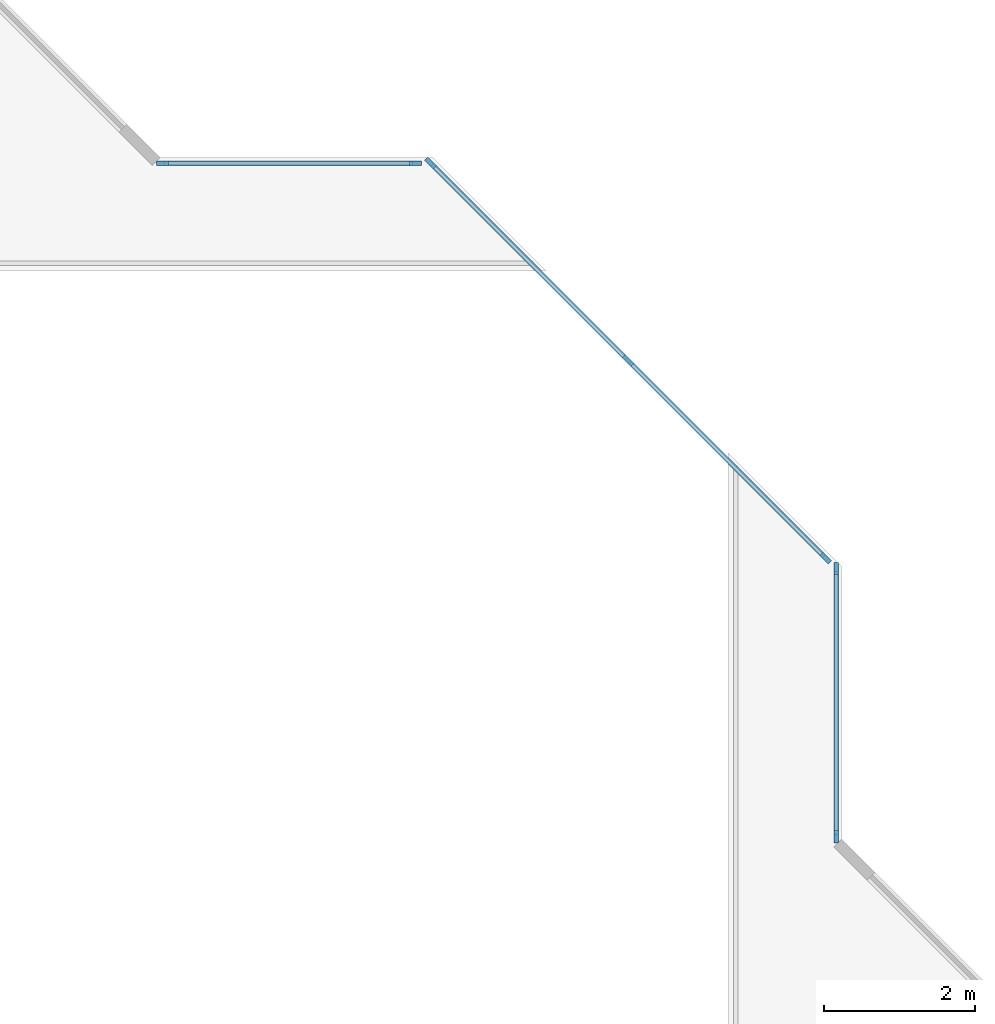
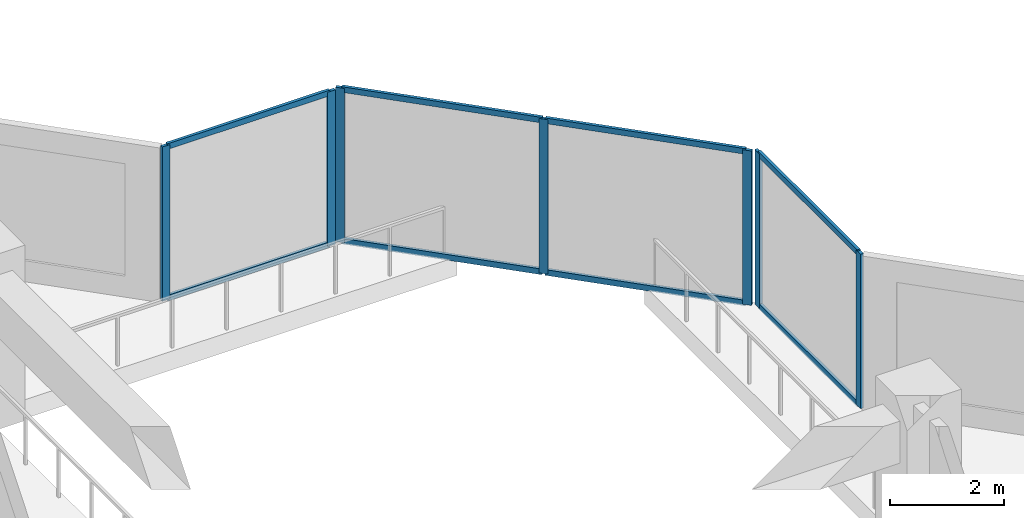
# One storey, part 2 of 16: 15 members, 3 elements without a shape of their own.
"""IFC4 building model written with IfcOpenShell, lengths in metres."""

from ifc_helpers import new_model, si_unit, direction, frame, origin, origin_2d, place, context, subcontext, project, spatial, rectangle, extrude, material, layer, layer_set, material_profile, profile_set, type_object, element, aggregate, save


model = new_model("IFC4")

# Units and contexts
model_context = context("Model", 3, precision=1e-05, world=origin(), true_north=direction((0.0, 1.0)))
body_context = subcontext(model_context, "Body", "Model", "MODEL_VIEW")
ifc_project = project(units=[si_unit("LENGTHUNIT", "METRE"), si_unit("AREAUNIT", "SQUARE_METRE"), si_unit("VOLUMEUNIT", "CUBIC_METRE"), si_unit("PLANEANGLEUNIT", "RADIAN"), si_unit("MASSUNIT", "GRAM", prefix="KILO")], contexts=[model_context])

# Site, building, storey
site_placement = place(None, origin())
site = spatial("IfcSite", under=ifc_project, at=site_placement, CompositionType="ELEMENT")
building_placement = place(site_placement, origin())
building = spatial("IfcBuilding", under=site, at=building_placement, Name="Chenar Terraces", CompositionType="ELEMENT")
storey_placement = place(building_placement, frame((0.0, 0.0, 82.64990234375)))
storey = spatial("IfcBuildingStorey", under=building, at=storey_placement, Name="L18", CompositionType="ELEMENT", Elevation=82.64990234375)

# Curtain wall, members
ifc_material_1 = material(Name="Aluminium framed glazing", Category="aluminium")
ifc_layer = layer(ifc_material_1, 0.14990234375)
ifc_layer_set = layer_set([ifc_layer], Name="Aluminium framed glazing")
curtain_wall_type = type_object("IfcCurtainWallType", Name="Atrium curtain wall", PredefinedType="NOTDEFINED", material=ifc_layer_set)
placement = place(storey_placement, origin())
curtain_wall_1 = element("IfcCurtainWall", 1, at=placement, inside=storey, type_object=curtain_wall_type, Name="Atrium curtain wall", PredefinedType="NOTDEFINED")
ifc_material_2 = material(Name="Aluminium", Category="aluminium")
ifc_material_profile_1 = material_profile(ifc_material_2, rectangle(XDim=0.06005859375, YDim=0.159912109375, at=origin_2d()), Name="Atrium glazing mullion 60 x 160")
ifc_profile_set_1 = profile_set([ifc_material_profile_1], Name="Aluminium")
member_type_1 = type_object("IfcMemberType", Name="Atrium glazing mullion 60 x 160", PredefinedType="MULLION", material=ifc_profile_set_1)
member_1_placement = place(storey_placement, frame((37.425048828125, 28.530029296875, 0.0), z_axis=(0.0, 0.0, 1.0), x_axis=(-1.0, 0.0, 0.0)))
member_1 = element("IfcMember", 2, at=member_1_placement, type_object=member_type_1, Name="CW1-1 mullion 1", PredefinedType="MULLION", context=body_context, shape_type="SweptSolid", body=[
    extrude(rectangle(XDim=0.06005859375, YDim=0.159912109375, at=origin_2d()), origin(), (0.0, 0.0, 1.0), 3.300048828125),
])
member_2_placement = place(storey_placement, frame((37.425048828125, 32.070068359375, 0.0), z_axis=(0.0, 0.0, 1.0), x_axis=(-1.0, 0.0, 0.0)))
member_2 = element("IfcMember", 3, at=member_2_placement, type_object=member_type_1, Name="CW1-1 mullion 2", PredefinedType="MULLION", context=body_context, shape_type="SweptSolid", body=[
    extrude(rectangle(XDim=0.06005859375, YDim=0.159912109375, at=origin_2d()), origin(), (0.0, 0.0, 1.0), 3.300048828125),
])

curtain_wall_2 = element("IfcCurtainWall", 4, at=placement, inside=storey, type_object=curtain_wall_type, Name="Atrium curtain wall", PredefinedType="NOTDEFINED")
member_3_placement = place(storey_placement, frame((37.284423828125, 32.209716796875, 0.0), z_axis=(0.0, 0.0, 1.0), x_axis=(-0.707106781187, -0.707106781187, 0.0)))
member_3 = element("IfcMember", 5, at=member_3_placement, type_object=member_type_1, Name="CW1-2 mullion 1", PredefinedType="MULLION", context=body_context, shape_type="SweptSolid", body=[
    extrude(rectangle(XDim=0.06005859375, YDim=0.159912109375, at=origin_2d()), origin(), (0.0, 0.0, 1.0), 3.300048828125),
])
member_4_placement = place(storey_placement, frame((34.67626953125, 34.817626953125, 0.0), z_axis=(0.0, 0.0, 1.0), x_axis=(-0.707106781187, -0.707106781187, 0.0)))
member_4 = element("IfcMember", 6, at=member_4_placement, type_object=member_type_1, Name="CW1-2 mullion 2", PredefinedType="MULLION", context=body_context, shape_type="SweptSolid", body=[
    extrude(rectangle(XDim=0.06005859375, YDim=0.159912109375, at=origin_2d()), origin(), (0.0, 0.0, 1.0), 3.300048828125),
])
member_5_placement = place(storey_placement, frame((32.068115234375, 37.42578125, 0.0), z_axis=(0.0, 0.0, 1.0), x_axis=(-0.707106781187, -0.707106781187, 0.0)))
member_5 = element("IfcMember", 7, at=member_5_placement, type_object=member_type_1, Name="CW1-2 mullion 3", PredefinedType="MULLION", context=body_context, shape_type="SweptSolid", body=[
    extrude(rectangle(XDim=0.06005859375, YDim=0.159912109375, at=origin_2d()), origin(), (0.0, 0.0, 1.0), 3.300048828125),
])

curtain_wall_3 = element("IfcCurtainWall", 8, at=placement, inside=storey, type_object=curtain_wall_type, Name="Atrium curtain wall", PredefinedType="NOTDEFINED")
member_6_placement = place(storey_placement, frame((31.8701171875, 37.425048828125, 0.0), z_axis=(0.0, 0.0, 1.0), x_axis=(0.0, -1.0, 0.0)))
member_6 = element("IfcMember", 9, at=member_6_placement, type_object=member_type_1, Name="CW1-3 mullion 1", PredefinedType="MULLION", context=body_context, shape_type="SweptSolid", body=[
    extrude(rectangle(XDim=0.06005859375, YDim=0.159912109375, at=origin_2d()), origin(), (0.0, 0.0, 1.0), 3.300048828125),
])
member_7_placement = place(storey_placement, frame((28.530029296875, 37.425048828125, 0.0), z_axis=(0.0, 0.0, 1.0), x_axis=(0.0, -1.0, 0.0)))
member_7 = element("IfcMember", 10, at=member_7_placement, type_object=member_type_1, Name="CW1-3 mullion 2", PredefinedType="MULLION", context=body_context, shape_type="SweptSolid", body=[
    extrude(rectangle(XDim=0.06005859375, YDim=0.159912109375, at=origin_2d()), origin(), (0.0, 0.0, 1.0), 3.300048828125),
])

# Member
ifc_material_3 = material(Name="Aluminium", Category="aluminium")
ifc_material_profile_2 = material_profile(ifc_material_3, rectangle(XDim=0.06005859375, YDim=0.1201171875, at=origin_2d()), Name="Atrium glazing transom 60 x 120")
ifc_profile_set_2 = profile_set([ifc_material_profile_2], Name="Aluminium")
member_type_2 = type_object("IfcMemberType", Name="Atrium glazing transom 60 x 120", PredefinedType="USERDEFINED", material=ifc_profile_set_2)
member_8_placement = place(storey_placement, frame((37.425048828125, 28.56005859375, 0.030029296875), z_axis=(0.0, 1.0, 0.0), x_axis=(-1.0, 0.0, 0.0)))
member_8 = element("IfcMember", 11, at=member_8_placement, type_object=member_type_2, Name="CW1-1 transom 1.1", ObjectType="TRANSOM", PredefinedType="USERDEFINED", context=body_context, shape_type="SweptSolid", body=[
    extrude(rectangle(XDim=0.06005859375, YDim=0.1201171875, at=origin_2d()), origin(), (0.0, 0.0, 1.0), 3.47998046875),
])

member_9_placement = place(storey_placement, frame((37.425048828125, 28.56005859375, 3.27001953125), z_axis=(0.0, 1.0, 0.0), x_axis=(-1.0, 0.0, 0.0)))
member_9 = element("IfcMember", 12, at=member_9_placement, type_object=member_type_2, Name="CW1-1 transom 1.2", ObjectType="TRANSOM", PredefinedType="USERDEFINED", context=body_context, shape_type="SweptSolid", body=[
    extrude(rectangle(XDim=0.06005859375, YDim=0.1201171875, at=origin_2d()), origin(), (0.0, 0.0, 1.0), 3.47998046875),
])

aggregate(curtain_wall_1, [member_1, member_2, member_8, member_9])

member_10_placement = place(storey_placement, frame((37.26318359375, 32.230712890625, 0.030029296875), z_axis=(-0.707106781187, 0.707106781187, 0.0), x_axis=(-0.707106781187, -0.707106781187, 0.0)))
member_10 = element("IfcMember", 13, at=member_10_placement, type_object=member_type_2, Name="CW1-2 transom 1.1", ObjectType="TRANSOM", PredefinedType="USERDEFINED", context=body_context, shape_type="SweptSolid", body=[
    extrude(rectangle(XDim=0.06005859375, YDim=0.1201171875, at=origin_2d()), origin(), (0.0, 0.0, 1.0), 3.62841796875),
])

member_11_placement = place(storey_placement, frame((37.26318359375, 32.230712890625, 3.27001953125), z_axis=(-0.707106781187, 0.707106781187, 0.0), x_axis=(-0.707106781187, -0.707106781187, 0.0)))
member_11 = element("IfcMember", 14, at=member_11_placement, type_object=member_type_2, Name="CW1-2 transom 1.2", ObjectType="TRANSOM", PredefinedType="USERDEFINED", context=body_context, shape_type="SweptSolid", body=[
    extrude(rectangle(XDim=0.06005859375, YDim=0.1201171875, at=origin_2d()), origin(), (0.0, 0.0, 1.0), 3.62841796875),
])

member_12_placement = place(storey_placement, frame((34.655029296875, 34.8388671875, 0.030029296875), z_axis=(-0.707106781187, 0.707106781187, 0.0), x_axis=(-0.707106781187, -0.707106781187, 0.0)))
member_12 = element("IfcMember", 15, at=member_12_placement, type_object=member_type_2, Name="CW1-2 transom 2.1", ObjectType="TRANSOM", PredefinedType="USERDEFINED", context=body_context, shape_type="SweptSolid", body=[
    extrude(rectangle(XDim=0.06005859375, YDim=0.1201171875, at=origin_2d()), origin(), (0.0, 0.0, 1.0), 3.62841796875),
])

member_13_placement = place(storey_placement, frame((34.655029296875, 34.8388671875, 3.27001953125), z_axis=(-0.707106781187, 0.707106781187, 0.0), x_axis=(-0.707106781187, -0.707106781187, 0.0)))
member_13 = element("IfcMember", 16, at=member_13_placement, type_object=member_type_2, Name="CW1-2 transom 2.2", ObjectType="TRANSOM", PredefinedType="USERDEFINED", context=body_context, shape_type="SweptSolid", body=[
    extrude(rectangle(XDim=0.06005859375, YDim=0.1201171875, at=origin_2d()), origin(), (0.0, 0.0, 1.0), 3.62841796875),
])

aggregate(curtain_wall_2, [member_3, member_4, member_5, member_10, member_11, member_12, member_13])

member_14_placement = place(storey_placement, frame((31.840087890625, 37.425048828125, 0.030029296875), z_axis=(-1.0, 0.0, 0.0), x_axis=(0.0, -1.0, 0.0)))
member_14 = element("IfcMember", 17, at=member_14_placement, type_object=member_type_2, Name="CW1-3 transom 1.1", ObjectType="TRANSOM", PredefinedType="USERDEFINED", context=body_context, shape_type="SweptSolid", body=[
    extrude(rectangle(XDim=0.06005859375, YDim=0.1201171875, at=origin_2d()), origin(), (0.0, 0.0, 1.0), 3.280029296875),
])

member_15_placement = place(storey_placement, frame((31.840087890625, 37.425048828125, 3.27001953125), z_axis=(-1.0, 0.0, 0.0), x_axis=(0.0, -1.0, 0.0)))
member_15 = element("IfcMember", 18, at=member_15_placement, type_object=member_type_2, Name="CW1-3 transom 1.2", ObjectType="TRANSOM", PredefinedType="USERDEFINED", context=body_context, shape_type="SweptSolid", body=[
    extrude(rectangle(XDim=0.06005859375, YDim=0.1201171875, at=origin_2d()), origin(), (0.0, 0.0, 1.0), 3.280029296875),
])

aggregate(curtain_wall_3, [member_6, member_7, member_14, member_15])

save(model, "model.ifc")
